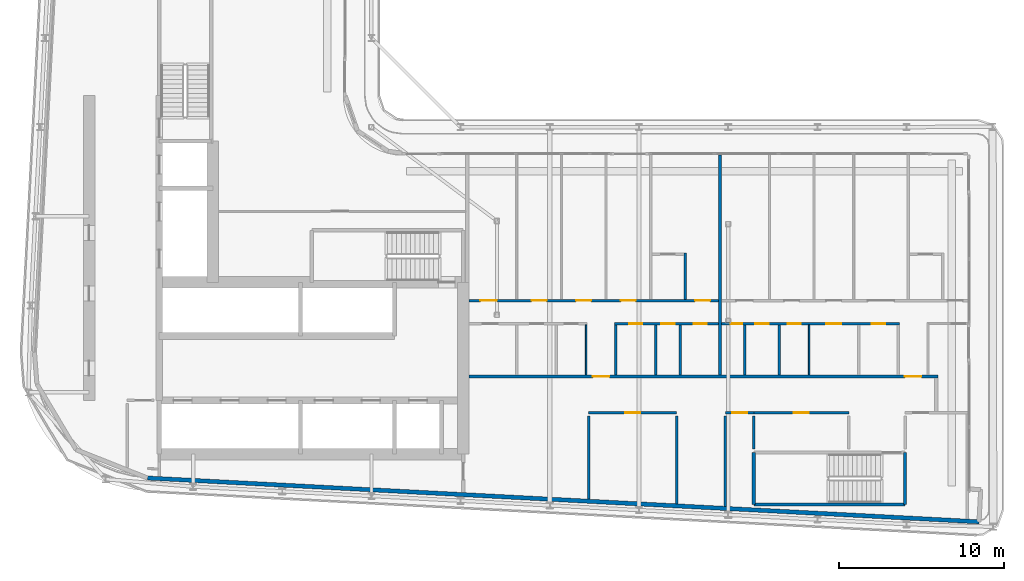
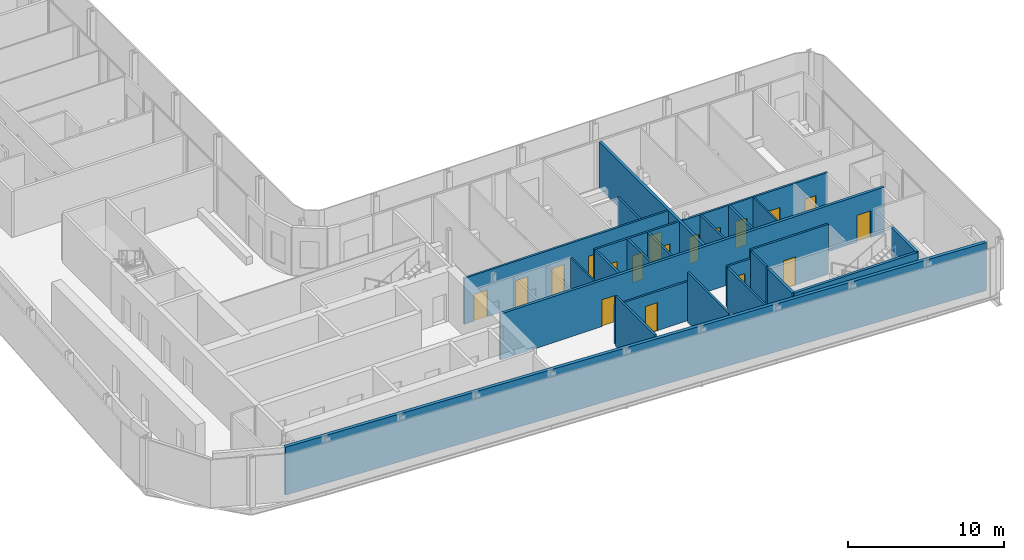
# One storey, part 12 of 23: 24 walls, 18 doors, 18 openings.
"""IFC4 building model written with IfcOpenShell, lengths in metres."""

from ifc_helpers import new_model, si_unit, direction, frame, frame_2d, origin, place, context, subcontext, project, spatial, rectangle, extrude, source, transform, mapped, material, layer, layer_set, type_object, element, fill, save


model = new_model("IFC4")

# Units and contexts
model_context = context("Model", 3, precision=1e-05, world=origin(), true_north=direction((0.0, 1.0)))
body_context = subcontext(model_context, "Body", "Model", "MODEL_VIEW")
ifc_project = project(units=[si_unit("LENGTHUNIT", "METRE"), si_unit("AREAUNIT", "SQUARE_METRE"), si_unit("VOLUMEUNIT", "CUBIC_METRE"), si_unit("PLANEANGLEUNIT", "RADIAN"), si_unit("MASSUNIT", "GRAM", prefix="KILO")], contexts=[model_context])

# Site, building, storey
site_placement = place(None, origin())
site = spatial("IfcSite", under=ifc_project, at=site_placement, CompositionType="ELEMENT")
building_placement = place(site_placement, origin())
building = spatial("IfcBuilding", under=site, at=building_placement, Name="Kheshtan School and Residences Tower", CompositionType="ELEMENT")
storey_placement = place(building_placement, frame((0.0, 0.0, 243.5)))
storey = spatial("IfcBuildingStorey", under=building, at=storey_placement, Name="L57", CompositionType="ELEMENT", Elevation=243.5)

# Wall, openings, doors
ifc_material_1 = material(Name="Gypsum board on steel studs with fire boards", Category="steel")
ifc_layer_1 = layer(ifc_material_1, 0.199951171875)
ifc_layer_set_1 = layer_set([ifc_layer_1], Name="Corridor wall 200")
wall_type_1 = type_object("IfcWallType", Name="Corridor wall 200", PredefinedType="PARTITIONING", material=ifc_layer_set_1)
wall_1_placement = place(storey_placement, frame((53.4990234375, 30.5, 0.0), z_axis=(0.0, 0.0, 1.0), x_axis=(1.0, 0.0, 0.0)))
wall_1 = element("IfcWall", 1, at=wall_1_placement, inside=storey, type_object=wall_type_1, Name="Partition L57-036", PredefinedType="PARTITIONING", context=body_context, shape_type="SweptSolid", body=[
    extrude(rectangle(XDim=28.40087890625, YDim=0.199951171875, at=frame_2d((14.200439453125, 0.0))), origin(), (0.0, 0.0, 1.0), 3.60009765625),
])
opening_1_placement = place(wall_1_placement, frame((7.5009765625, 0.0, 0.0)))
opening_1 = element("IfcOpeningElement", 2, at=opening_1_placement, cuts=wall_1, Name="Opening D56-007", PredefinedType="OPENING", context=body_context, shape_type="SweptSolid", body=[
    extrude(rectangle(XDim=1.0, YDim=2.10009765625, at=frame_2d((0.5, 1.050048828125))), frame((0.0, 0.10986328125, 0.0), z_axis=(0.0, -1.0, 0.0), x_axis=(1.0, 0.0, 0.0)), (0.0, 0.0, 1.0), 0.219970703125),
])
opening_2_placement = place(wall_1_placement, frame((26.40087890625, 0.0, 0.0)))
opening_2 = element("IfcOpeningElement", 3, at=opening_2_placement, cuts=wall_1, Name="Opening D56-020", PredefinedType="OPENING", context=body_context, shape_type="SweptSolid", body=[
    extrude(rectangle(XDim=1.0, YDim=2.10009765625, at=frame_2d((0.5, 1.050048828125))), frame((0.0, 0.10986328125, 0.0), z_axis=(0.0, -1.0, 0.0), x_axis=(1.0, 0.0, 0.0)), (0.0, 0.0, 1.0), 0.219970703125),
])
ifc_material_2 = material(Name="Steel-framed fire-resisting door leaf", Category="steel")
door_type_1 = type_object("IfcDoorType", Name="Fire door FD30S 1000 x 2100", OperationType="SINGLE_SWING_LEFT", PredefinedType="DOOR", material=ifc_material_2)
shared_shape_1 = source(origin(), body_context, "Body", "SweptSolid", [
    extrude(rectangle(XDim=1.0, YDim=2.10009765625, at=frame_2d((0.5, 1.050048828125))), frame((0.0, 0.02490234375, 0.0), z_axis=(0.0, -1.0, 0.0), x_axis=(1.0, 0.0, 0.0)), (0.0, 0.0, 1.0), 0.050048828125),
])
door_1_placement = place(opening_1_placement, origin())
door_1 = element("IfcDoor", 4, at=door_1_placement, inside=storey, type_object=door_type_1, Name="Door D56-007", OperationType="SINGLE_SWING_LEFT", OverallHeight=2.10009765625, OverallWidth=1.0, PredefinedType="DOOR", context=body_context, shape_type="MappedRepresentation", body=[
    mapped(shared_shape_1, transform((0.0, 0.0, 0.0), x_axis=(1.0, 0.0, 0.0), y_axis=(0.0, 1.0, 0.0), z_axis=(0.0, 0.0, 1.0), scale=1.0)),
])
fill(opening_1, door_1)
door_2_placement = place(opening_2_placement, origin())
door_2 = element("IfcDoor", 5, at=door_2_placement, inside=storey, type_object=door_type_1, Name="Door D56-020", OperationType="SINGLE_SWING_RIGHT", OverallHeight=2.10009765625, OverallWidth=1.0, PredefinedType="DOOR", context=body_context, shape_type="MappedRepresentation", body=[
    mapped(shared_shape_1, transform((0.0, 0.0, 0.0), x_axis=(1.0, 0.0, 0.0), y_axis=(0.0, 1.0, 0.0), z_axis=(0.0, 0.0, 1.0), scale=1.0)),
])
fill(opening_2, door_2)

# Walls
ifc_material_3 = material(Name="Concrete C40/50 with ceramic cladding and mineral wool insulation", Category="concrete")
ifc_layer_2 = layer(ifc_material_3, 0.25)
ifc_layer_set_2 = layer_set([ifc_layer_2], Name="External wall 250 ceramic clad")
wall_type_2 = type_object("IfcWallType", Name="External wall 250 ceramic clad", PredefinedType="SOLIDWALL", material=ifc_layer_set_2)
wall_2_placement = place(storey_placement, frame((84.385986328125, 21.702880859375, 0.0), z_axis=(0.0, 0.0, 1.0), x_axis=(-0.998617508267, 0.05256493302, 0.0)))
element("IfcWall", 6, at=wall_2_placement, inside=storey, type_object=wall_type_2, Name="External wall L57 16", PredefinedType="SOLIDWALL", context=body_context, shape_type="SweptSolid", body=[
    extrude(rectangle(XDim=50.41650390625, YDim=0.25, at=frame_2d((25.208251953125, 0.0))), origin(), (0.0, 0.0, 1.0), 3.75),
])
ifc_material_4 = material(Name="Gypsum board on steel studs", Category="steel")
ifc_layer_3 = layer(ifc_material_4, 0.10009765625)
ifc_layer_set_3 = layer_set([ifc_layer_3], Name="Gypsum partition 100")
wall_type_3 = type_object("IfcWallType", Name="Gypsum partition 100", PredefinedType="PARTITIONING", material=ifc_layer_set_3)
for number, where, z_axis, x_axis, name in (
    (7, (60.60009765625, 30.60009765625, 0.0), (0.0, 0.0, 1.0), (0.0, 1.0, 0.0), "Partition L57-043"),
    (8, (74.10009765625, 30.60009765625, 0.0), (0.0, 0.0, 1.0), (0.0, 1.0, 0.0), "Partition L57-058"),
):
    element("IfcWall", number, at=place(storey_placement, frame(where, z_axis=z_axis, x_axis=x_axis)), inside=storey, type_object=wall_type_3, Name=name, PredefinedType="PARTITIONING", context=body_context, shape_type="SweptSolid", body=[
        extrude(rectangle(XDim=3.02490234375, YDim=0.10009765625, at=frame_2d((1.512451171875, 0.0))), origin(), (0.0, 0.0, 1.0), 3.60009765625),
    ])

# Wall, opening, door
ifc_material_5 = material(Name="Fire-board shaft wall system")
ifc_layer_4 = layer(ifc_material_5, 0.14990234375)
ifc_layer_set_4 = layer_set([ifc_layer_4], Name="Service room wall 150")
wall_type_4 = type_object("IfcWallType", Name="Service room wall 150", PredefinedType="PARTITIONING", material=ifc_layer_set_4)
wall_3_placement = place(storey_placement, frame((60.75, 28.300048828125, 0.0), z_axis=(0.0, 0.0, 1.0), x_axis=(1.0, 0.0, 0.0)))
wall_3 = element("IfcWall", 9, at=wall_3_placement, inside=storey, type_object=wall_type_4, Name="Service room wall", PredefinedType="PARTITIONING", context=body_context, shape_type="SweptSolid", body=[
    extrude(rectangle(XDim=5.323974609375, YDim=0.14990234375, at=frame_2d((2.662109375, 0.0))), origin(), (0.0, 0.0, 1.0), 3.072021484375),
])
opening_3_placement = place(wall_3_placement, frame((2.2119140625, 0.0, 0.0)))
opening_3 = element("IfcOpeningElement", 10, at=opening_3_placement, cuts=wall_3, Name="Opening SR90", PredefinedType="OPENING", context=body_context, shape_type="SweptSolid", body=[
    extrude(rectangle(XDim=0.89990234375, YDim=2.199951171875, at=frame_2d((0.449951171875, 1.10009765625))), frame((0.0, 0.0849609375, 0.0), z_axis=(0.0, -1.0, 0.0), x_axis=(1.0, 0.0, 0.0)), (0.0, 0.0, 1.0), 0.169921875),
])
ifc_material_6 = material(Name="Steel door leaf, galvanised", Category="steel")
door_type_2 = type_object("IfcDoorType", Name="Service room door 900 steel 90 min", OperationType="SINGLE_SWING_LEFT", PredefinedType="DOOR", material=ifc_material_6)
shared_shape_2 = source(origin(), body_context, "Body", "SweptSolid", [
    extrude(rectangle(XDim=0.89990234375, YDim=2.199951171875, at=frame_2d((0.449951171875, 1.10009765625))), frame((0.0, 0.02490234375, 0.0), z_axis=(0.0, -1.0, 0.0), x_axis=(1.0, 0.0, 0.0)), (0.0, 0.0, 1.0), 0.050048828125),
])
door_3_placement = place(opening_3_placement, origin())
door_3 = element("IfcDoor", 11, at=door_3_placement, inside=storey, type_object=door_type_2, Name="Service room door", OperationType="SINGLE_SWING_LEFT", OverallHeight=2.199951171875, OverallWidth=0.89990234375, PredefinedType="DOOR", context=body_context, shape_type="MappedRepresentation", body=[
    mapped(shared_shape_2, transform((0.0, 0.0, 0.0), x_axis=(1.0, 0.0, 0.0), y_axis=(0.0, 1.0, 0.0), z_axis=(0.0, 0.0, 1.0), scale=1.0)),
])
fill(opening_3, door_3)

# Walls
wall_4_placement = place(storey_placement, frame((60.75, 23.074951171875, 0.0), z_axis=(0.0, 0.0, 1.0), x_axis=(0.0, 1.0, 0.0)))
element("IfcWall", 12, at=wall_4_placement, inside=storey, type_object=wall_type_4, Name="Service room wall", PredefinedType="PARTITIONING", context=body_context, shape_type="SweptSolid", body=[
    extrude(rectangle(XDim=5.030029296875, YDim=0.14990234375, at=frame_2d((2.51513671875, 0.0))), origin(), (0.0, 0.0, 1.0), 3.89990234375),
])
wall_5_placement = place(storey_placement, frame((66.073974609375, 22.794921875, 0.0), z_axis=(0.0, 0.0, 1.0), x_axis=(0.0, 1.0, 0.0)))
element("IfcWall", 13, at=wall_5_placement, inside=storey, type_object=wall_type_4, Name="Service room wall", PredefinedType="PARTITIONING", context=body_context, shape_type="SweptSolid", body=[
    extrude(rectangle(XDim=5.31005859375, YDim=0.14990234375, at=frame_2d((2.655029296875, 0.0))), origin(), (0.0, 0.0, 1.0), 3.89990234375),
])

# Wall, opening, door
wall_6_placement = place(storey_placement, frame((69.029052734375, 28.300048828125, 0.0), z_axis=(0.0, 0.0, 1.0), x_axis=(1.0, 0.0, 0.0)))
wall_6 = element("IfcWall", 14, at=wall_6_placement, inside=storey, type_object=wall_type_4, Name="Service room wall", PredefinedType="PARTITIONING", context=body_context, shape_type="SweptSolid", body=[
    extrude(rectangle(XDim=1.720947265625, YDim=0.14990234375, at=frame_2d((0.8603515625, 0.0))), origin(), (0.0, 0.0, 1.0), 3.217041015625),
])
opening_4_placement = place(wall_6_placement, frame((0.410888671875, 0.0, 0.0)))
opening_4 = element("IfcOpeningElement", 15, at=opening_4_placement, cuts=wall_6, Name="Opening SR90", PredefinedType="OPENING", context=body_context, shape_type="SweptSolid", body=[
    extrude(rectangle(XDim=0.89990234375, YDim=2.199951171875, at=frame_2d((0.449951171875, 1.10009765625))), frame((0.0, 0.0849609375, 0.0), z_axis=(0.0, -1.0, 0.0), x_axis=(1.0, 0.0, 0.0)), (0.0, 0.0, 1.0), 0.169921875),
])
door_4_placement = place(opening_4_placement, origin())
door_4 = element("IfcDoor", 16, at=door_4_placement, inside=storey, type_object=door_type_2, Name="Service room door", OperationType="SINGLE_SWING_LEFT", OverallHeight=2.199951171875, OverallWidth=0.89990234375, PredefinedType="DOOR", context=body_context, shape_type="MappedRepresentation", body=[
    mapped(shared_shape_2, transform((0.0, 0.0, 0.0), x_axis=(1.0, 0.0, 0.0), y_axis=(0.0, 1.0, 0.0), z_axis=(0.0, 0.0, 1.0), scale=1.0)),
])
fill(opening_4, door_4)

# Walls
wall_7_placement = place(storey_placement, frame((69.029052734375, 22.638916015625, 0.0), z_axis=(0.0, 0.0, 1.0), x_axis=(0.0, 1.0, 0.0)))
element("IfcWall", 17, at=wall_7_placement, inside=storey, type_object=wall_type_4, Name="Service room wall", PredefinedType="PARTITIONING", context=body_context, shape_type="SweptSolid", body=[
    extrude(rectangle(XDim=5.466064453125, YDim=0.14990234375, at=frame_2d((2.73291015625, 0.0))), origin(), (0.0, 0.0, 1.0), 3.217041015625),
])
wall_8_placement = place(storey_placement, frame((70.75, 26.1201171875, 0.0), z_axis=(0.0, 0.0, 1.0), x_axis=(0.0, 1.0, 0.0)))
element("IfcWall", 18, at=wall_8_placement, inside=storey, type_object=wall_type_4, Name="Service room wall", PredefinedType="PARTITIONING", context=body_context, shape_type="SweptSolid", body=[
    extrude(rectangle(XDim=1.98486328125, YDim=0.14990234375, at=frame_2d((0.992431640625, 0.0))), origin(), (0.0, 0.0, 1.0), 3.89990234375),
])

# Wall, opening, door
wall_9_placement = place(storey_placement, frame((70.75, 28.300048828125, 0.0), z_axis=(0.0, 0.0, 1.0), x_axis=(1.0, 0.0, 0.0)))
wall_9 = element("IfcWall", 19, at=wall_9_placement, inside=storey, type_object=wall_type_4, Name="Service room wall", PredefinedType="PARTITIONING", context=body_context, shape_type="SweptSolid", body=[
    extrude(rectangle(XDim=5.760009765625, YDim=0.14990234375, at=frame_2d((2.8798828125, 0.0))), origin(), (0.0, 0.0, 1.0), 3.89990234375),
])
opening_5_placement = place(wall_9_placement, frame((2.429931640625, 0.0, 0.0)))
opening_5 = element("IfcOpeningElement", 20, at=opening_5_placement, cuts=wall_9, Name="Opening SR90", PredefinedType="OPENING", context=body_context, shape_type="SweptSolid", body=[
    extrude(rectangle(XDim=0.89990234375, YDim=2.199951171875, at=frame_2d((0.449951171875, 1.10009765625))), frame((0.0, 0.0849609375, 0.0), z_axis=(0.0, -1.0, 0.0), x_axis=(1.0, 0.0, 0.0)), (0.0, 0.0, 1.0), 0.169921875),
])
door_5_placement = place(opening_5_placement, origin())
door_5 = element("IfcDoor", 21, at=door_5_placement, inside=storey, type_object=door_type_2, Name="Service room door", OperationType="SINGLE_SWING_LEFT", OverallHeight=2.199951171875, OverallWidth=0.89990234375, PredefinedType="DOOR", context=body_context, shape_type="MappedRepresentation", body=[
    mapped(shared_shape_2, transform((0.0, 0.0, 0.0), x_axis=(1.0, 0.0, 0.0), y_axis=(0.0, 1.0, 0.0), z_axis=(0.0, 0.0, 1.0), scale=1.0)),
])
fill(opening_5, door_5)

# Walls
ifc_material_7 = material(Name="Concrete C40/50", Category="concrete")
ifc_layer_5 = layer(ifc_material_7, 0.199951171875)
ifc_layer_set_5 = layer_set([ifc_layer_5], Name="Stair enclosure wall 200 Concrete C40/50")
wall_type_5 = type_object("IfcWallType", Name="Stair enclosure wall 200 Concrete C40/50", PredefinedType="SHEAR", material=ifc_layer_set_5)
wall_10_placement = place(storey_placement, frame((70.75, 22.75, 0.0), z_axis=(0.0, 0.0, 1.0), x_axis=(1.0, 0.0, 0.0)))
element("IfcWall", 22, at=wall_10_placement, inside=storey, type_object=wall_type_5, Name="Stair enclosure wall ST5", PredefinedType="SHEAR", context=body_context, shape_type="SweptSolid", body=[
    extrude(rectangle(XDim=9.159912109375, YDim=0.199951171875, at=frame_2d((4.580078125, 0.0))), origin(), (0.0, 0.0, 1.0), 3.89990234375),
])
for number, where, z_axis, x_axis, name in (
    (23, (70.75, 22.75, 0.0), (0.0, 0.0, 1.0), (0.0, 1.0, 0.0), "Stair enclosure wall ST5"),
    (24, (79.909912109375, 22.75, 0.0), (0.0, 0.0, 1.0), (0.0, 1.0, 0.0), "Stair enclosure wall ST5"),
):
    element("IfcWall", number, at=place(storey_placement, frame(where, z_axis=z_axis, x_axis=x_axis)), inside=storey, type_object=wall_type_5, Name=name, PredefinedType="SHEAR", context=body_context, shape_type="SweptSolid", body=[
        extrude(rectangle(XDim=3.14990234375, YDim=0.199951171875, at=frame_2d((1.574951171875, 0.0))), origin(), (0.0, 0.0, 1.0), 3.89990234375),
    ])
ifc_material_8 = material(Name="Twin gypsum board on steel studs with mineral wool", Category="steel")
ifc_layer_6 = layer(ifc_material_8, 0.199951171875)
ifc_layer_set_6 = layer_set([ifc_layer_6], Name="Unit demising wall 200")
wall_type_6 = type_object("IfcWallType", Name="Unit demising wall 200", PredefinedType="PARTITIONING", material=ifc_layer_set_6)
wall_11_placement = place(storey_placement, frame((68.699951171875, 30.60009765625, 0.0), z_axis=(0.0, 0.0, 1.0), x_axis=(0.0, 1.0, 0.0)))
element("IfcWall", 25, at=wall_11_placement, inside=storey, type_object=wall_type_6, Name="Partition L57-052", PredefinedType="PARTITIONING", context=body_context, shape_type="SweptSolid", body=[
    extrude(rectangle(XDim=13.2998046875, YDim=0.199951171875, at=frame_2d((6.64990234375, 0.0))), origin(), (0.0, 0.0, 1.0), 3.60009765625),
])

# Wall, openings, doors
ifc_material_9 = material(Name="Moisture-resistant gypsum board on steel studs", Category="steel")
ifc_layer_7 = layer(ifc_material_9, 0.14990234375)
ifc_layer_set_7 = layer_set([ifc_layer_7], Name="Wet-room partition 150")
wall_type_7 = type_object("IfcWallType", Name="Wet-room partition 150", PredefinedType="PARTITIONING", material=ifc_layer_set_7)
wall_12_placement = place(storey_placement, frame((53.4990234375, 35.10009765625, 0.0), z_axis=(0.0, 0.0, 1.0), x_axis=(1.0, 0.0, 0.0)))
wall_12 = element("IfcWall", 26, at=wall_12_placement, inside=storey, type_object=wall_type_7, Name="Partition L57-038", PredefinedType="PARTITIONING", context=body_context, shape_type="SweptSolid", body=[
    extrude(rectangle(XDim=15.10107421875, YDim=0.14990234375, at=frame_2d((7.550537109375, 0.0))), origin(), (0.0, 0.0, 1.0), 3.60009765625),
])
opening_6_placement = place(wall_12_placement, frame((3.801025390625, 0.0, 0.0)))
opening_6 = element("IfcOpeningElement", 27, at=opening_6_placement, cuts=wall_12, Name="Opening D56-003", PredefinedType="OPENING", context=body_context, shape_type="SweptSolid", body=[
    extrude(rectangle(XDim=0.89990234375, YDim=2.10009765625, at=frame_2d((0.449951171875, 1.050048828125))), frame((0.0, 0.0849609375, 0.0), z_axis=(0.0, -1.0, 0.0), x_axis=(1.0, 0.0, 0.0)), (0.0, 0.0, 1.0), 0.169921875),
])
opening_7_placement = place(wall_12_placement, frame((9.200927734375, 0.0, 0.0)))
opening_7 = element("IfcOpeningElement", 28, at=opening_7_placement, cuts=wall_12, Name="Opening D56-004", PredefinedType="OPENING", context=body_context, shape_type="SweptSolid", body=[
    extrude(rectangle(XDim=0.89990234375, YDim=2.10009765625, at=frame_2d((0.449951171875, 1.050048828125))), frame((0.0, 0.0849609375, 0.0), z_axis=(0.0, -1.0, 0.0), x_axis=(1.0, 0.0, 0.0)), (0.0, 0.0, 1.0), 0.169921875),
])
opening_8_placement = place(wall_12_placement, frame((0.700927734375, 0.0, 0.0)))
opening_8 = element("IfcOpeningElement", 29, at=opening_8_placement, cuts=wall_12, Name="Opening D56-009", PredefinedType="OPENING", context=body_context, shape_type="SweptSolid", body=[
    extrude(rectangle(XDim=1.0, YDim=2.10009765625, at=frame_2d((0.5, 1.050048828125))), frame((0.0, 0.0849609375, 0.0), z_axis=(0.0, -1.0, 0.0), x_axis=(1.0, 0.0, 0.0)), (0.0, 0.0, 1.0), 0.169921875),
])
opening_9_placement = place(wall_12_placement, frame((6.5009765625, 0.0, 0.0)))
opening_9 = element("IfcOpeningElement", 30, at=opening_9_placement, cuts=wall_12, Name="Opening D56-010", PredefinedType="OPENING", context=body_context, shape_type="SweptSolid", body=[
    extrude(rectangle(XDim=0.89990234375, YDim=2.10009765625, at=frame_2d((0.449951171875, 1.050048828125))), frame((0.0, 0.0849609375, 0.0), z_axis=(0.0, -1.0, 0.0), x_axis=(1.0, 0.0, 0.0)), (0.0, 0.0, 1.0), 0.169921875),
])
opening_10_placement = place(wall_12_placement, frame((13.700927734375, 0.0, 0.0)))
opening_10 = element("IfcOpeningElement", 31, at=opening_10_placement, cuts=wall_12, Name="Opening D56-011", PredefinedType="OPENING", context=body_context, shape_type="SweptSolid", body=[
    extrude(rectangle(XDim=0.89990234375, YDim=2.10009765625, at=frame_2d((0.449951171875, 1.050048828125))), frame((0.0, 0.0849609375, 0.0), z_axis=(0.0, -1.0, 0.0), x_axis=(1.0, 0.0, 0.0)), (0.0, 0.0, 1.0), 0.169921875),
])
ifc_material_10 = material(Name="Veneered timber door leaf", Category="wood")
door_type_3 = type_object("IfcDoorType", Name="Door 1000 x 2100", OperationType="SINGLE_SWING_LEFT", PredefinedType="DOOR", material=ifc_material_10)
shared_shape_3 = source(origin(), body_context, "Body", "SweptSolid", [
    extrude(rectangle(XDim=1.0, YDim=2.10009765625, at=frame_2d((0.5, 1.050048828125))), frame((0.0, 0.02490234375, 0.0), z_axis=(0.0, -1.0, 0.0), x_axis=(1.0, 0.0, 0.0)), (0.0, 0.0, 1.0), 0.050048828125),
])
door_6_placement = place(opening_8_placement, origin())
door_6 = element("IfcDoor", 32, at=door_6_placement, inside=storey, type_object=door_type_3, Name="Door D56-009", OperationType="SINGLE_SWING_LEFT", OverallHeight=2.10009765625, OverallWidth=1.0, PredefinedType="DOOR", context=body_context, shape_type="MappedRepresentation", body=[
    mapped(shared_shape_3, transform((0.0, 0.0, 0.0), x_axis=(1.0, 0.0, 0.0), y_axis=(0.0, 1.0, 0.0), z_axis=(0.0, 0.0, 1.0), scale=1.0)),
])
fill(opening_8, door_6)
door_type_4 = type_object("IfcDoorType", Name="Door 900 x 2100", OperationType="SINGLE_SWING_LEFT", PredefinedType="DOOR", material=ifc_material_10)
shared_shape_4 = source(origin(), body_context, "Body", "SweptSolid", [
    extrude(rectangle(XDim=0.89990234375, YDim=2.10009765625, at=frame_2d((0.449951171875, 1.050048828125))), frame((0.0, 0.02490234375, 0.0), z_axis=(0.0, -1.0, 0.0), x_axis=(1.0, 0.0, 0.0)), (0.0, 0.0, 1.0), 0.050048828125),
])
door_7_placement = place(opening_6_placement, origin())
door_7 = element("IfcDoor", 33, at=door_7_placement, inside=storey, type_object=door_type_4, Name="Door D56-003", OperationType="SINGLE_SWING_RIGHT", OverallHeight=2.10009765625, OverallWidth=0.89990234375, PredefinedType="DOOR", context=body_context, shape_type="MappedRepresentation", body=[
    mapped(shared_shape_4, transform((0.0, 0.0, 0.0), x_axis=(1.0, 0.0, 0.0), y_axis=(0.0, 1.0, 0.0), z_axis=(0.0, 0.0, 1.0), scale=1.0)),
])
fill(opening_6, door_7)
door_8_placement = place(opening_7_placement, origin())
door_8 = element("IfcDoor", 34, at=door_8_placement, inside=storey, type_object=door_type_4, Name="Door D56-004", OperationType="SINGLE_SWING_RIGHT", OverallHeight=2.10009765625, OverallWidth=0.89990234375, PredefinedType="DOOR", context=body_context, shape_type="MappedRepresentation", body=[
    mapped(shared_shape_4, transform((0.0, 0.0, 0.0), x_axis=(1.0, 0.0, 0.0), y_axis=(0.0, 1.0, 0.0), z_axis=(0.0, 0.0, 1.0), scale=1.0)),
])
fill(opening_7, door_8)
door_9_placement = place(opening_9_placement, origin())
door_9 = element("IfcDoor", 35, at=door_9_placement, inside=storey, type_object=door_type_4, Name="Door D56-010", OperationType="SINGLE_SWING_LEFT", OverallHeight=2.10009765625, OverallWidth=0.89990234375, PredefinedType="DOOR", context=body_context, shape_type="MappedRepresentation", body=[
    mapped(shared_shape_4, transform((0.0, 0.0, 0.0), x_axis=(1.0, 0.0, 0.0), y_axis=(0.0, 1.0, 0.0), z_axis=(0.0, 0.0, 1.0), scale=1.0)),
])
fill(opening_9, door_9)
door_10_placement = place(opening_10_placement, origin())
door_10 = element("IfcDoor", 36, at=door_10_placement, inside=storey, type_object=door_type_4, Name="Door D56-011", OperationType="SINGLE_SWING_LEFT", OverallHeight=2.10009765625, OverallWidth=0.89990234375, PredefinedType="DOOR", context=body_context, shape_type="MappedRepresentation", body=[
    mapped(shared_shape_4, transform((0.0, 0.0, 0.0), x_axis=(1.0, 0.0, 0.0), y_axis=(0.0, 1.0, 0.0), z_axis=(0.0, 0.0, 1.0), scale=1.0)),
])
fill(opening_10, door_10)

wall_13_placement = place(storey_placement, frame((62.324951171875, 33.699951171875, 0.0), z_axis=(0.0, 0.0, 1.0), x_axis=(1.0, 0.0, 0.0)))
wall_13 = element("IfcWall", 37, at=wall_13_placement, inside=storey, type_object=wall_type_7, Name="Partition L57-045", PredefinedType="PARTITIONING", context=body_context, shape_type="SweptSolid", body=[
    extrude(rectangle(XDim=6.275146484375, YDim=0.14990234375, at=frame_2d((3.1376953125, 0.0))), origin(), (0.0, 0.0, 1.0), 3.60009765625),
])
opening_11_placement = place(wall_13_placement, frame((0.875, 0.0, 0.0)))
opening_11 = element("IfcOpeningElement", 38, at=opening_11_placement, cuts=wall_13, Name="Opening D56-002", PredefinedType="OPENING", context=body_context, shape_type="SweptSolid", body=[
    extrude(rectangle(XDim=0.800048828125, YDim=2.10009765625, at=frame_2d((0.39990234375, 1.050048828125))), frame((0.0, 0.0849609375, 0.0), z_axis=(0.0, -1.0, 0.0), x_axis=(1.0, 0.0, 0.0)), (0.0, 0.0, 1.0), 0.169921875),
])
opening_12_placement = place(wall_13_placement, frame((4.77490234375, 0.0, 0.0)))
opening_12 = element("IfcOpeningElement", 39, at=opening_12_placement, cuts=wall_13, Name="Opening D56-005", PredefinedType="OPENING", context=body_context, shape_type="SweptSolid", body=[
    extrude(rectangle(XDim=0.800048828125, YDim=2.10009765625, at=frame_2d((0.39990234375, 1.050048828125))), frame((0.0, 0.0849609375, 0.0), z_axis=(0.0, -1.0, 0.0), x_axis=(1.0, 0.0, 0.0)), (0.0, 0.0, 1.0), 0.169921875),
])
opening_13_placement = place(wall_13_placement, frame((2.824951171875, 0.0, 0.0)))
opening_13 = element("IfcOpeningElement", 40, at=opening_13_placement, cuts=wall_13, Name="Opening D56-013", PredefinedType="OPENING", context=body_context, shape_type="SweptSolid", body=[
    extrude(rectangle(XDim=0.800048828125, YDim=2.10009765625, at=frame_2d((0.39990234375, 1.050048828125))), frame((0.0, 0.0849609375, 0.0), z_axis=(0.0, -1.0, 0.0), x_axis=(1.0, 0.0, 0.0)), (0.0, 0.0, 1.0), 0.169921875),
])
door_type_5 = type_object("IfcDoorType", Name="Door 800 x 2100", OperationType="SINGLE_SWING_LEFT", PredefinedType="DOOR", material=ifc_material_10)
shared_shape_5 = source(origin(), body_context, "Body", "SweptSolid", [
    extrude(rectangle(XDim=0.800048828125, YDim=2.10009765625, at=frame_2d((0.39990234375, 1.050048828125))), frame((0.0, 0.02490234375, 0.0), z_axis=(0.0, -1.0, 0.0), x_axis=(1.0, 0.0, 0.0)), (0.0, 0.0, 1.0), 0.050048828125),
])
door_11_placement = place(opening_11_placement, origin())
door_11 = element("IfcDoor", 41, at=door_11_placement, inside=storey, type_object=door_type_5, Name="Door D56-002", OperationType="SINGLE_SWING_RIGHT", OverallHeight=2.10009765625, OverallWidth=0.800048828125, PredefinedType="DOOR", context=body_context, shape_type="MappedRepresentation", body=[
    mapped(shared_shape_5, transform((0.0, 0.0, 0.0), x_axis=(1.0, 0.0, 0.0), y_axis=(0.0, 1.0, 0.0), z_axis=(0.0, 0.0, 1.0), scale=1.0)),
])
fill(opening_11, door_11)
door_12_placement = place(opening_12_placement, origin())
door_12 = element("IfcDoor", 42, at=door_12_placement, inside=storey, type_object=door_type_5, Name="Door D56-005", OperationType="SINGLE_SWING_LEFT", OverallHeight=2.10009765625, OverallWidth=0.800048828125, PredefinedType="DOOR", context=body_context, shape_type="MappedRepresentation", body=[
    mapped(shared_shape_5, transform((0.0, 0.0, 0.0), x_axis=(1.0, 0.0, 0.0), y_axis=(0.0, 1.0, 0.0), z_axis=(0.0, 0.0, 1.0), scale=1.0)),
])
fill(opening_12, door_12)
door_13_placement = place(opening_13_placement, origin())
door_13 = element("IfcDoor", 43, at=door_13_placement, inside=storey, type_object=door_type_5, Name="Door D56-013", OperationType="SINGLE_SWING_LEFT", OverallHeight=2.10009765625, OverallWidth=0.800048828125, PredefinedType="DOOR", context=body_context, shape_type="MappedRepresentation", body=[
    mapped(shared_shape_5, transform((0.0, 0.0, 0.0), x_axis=(1.0, 0.0, 0.0), y_axis=(0.0, 1.0, 0.0), z_axis=(0.0, 0.0, 1.0), scale=1.0)),
])
fill(opening_13, door_13)

# Walls
for number, where, z_axis, x_axis, name in (
    (44, (62.39990234375, 30.60009765625, 0.0), (0.0, 0.0, 1.0), (0.0, 1.0, 0.0), "Partition L57-046"),
    (45, (64.800048828125, 30.60009765625, 0.0), (0.0, 0.0, 1.0), (0.0, 1.0, 0.0), "Partition L57-049"),
    (46, (66.300048828125, 30.60009765625, 0.0), (0.0, 0.0, 1.0), (0.0, 1.0, 0.0), "Partition L57-050"),
):
    element("IfcWall", number, at=place(storey_placement, frame(where, z_axis=z_axis, x_axis=x_axis)), inside=storey, type_object=wall_type_7, Name=name, PredefinedType="PARTITIONING", context=body_context, shape_type="SweptSolid", body=[
        extrude(rectangle(XDim=3.02490234375, YDim=0.14990234375, at=frame_2d((1.512451171875, 0.0))), origin(), (0.0, 0.0, 1.0), 3.60009765625),
    ])
wall_14_placement = place(storey_placement, frame((66.60009765625, 35.175048828125, 0.0), z_axis=(0.0, 0.0, 1.0), x_axis=(0.0, 1.0, 0.0)))
element("IfcWall", 47, at=wall_14_placement, inside=storey, type_object=wall_type_7, Name="Partition L57-051", PredefinedType="PARTITIONING", context=body_context, shape_type="SweptSolid", body=[
    extrude(rectangle(XDim=2.800048828125, YDim=0.14990234375, at=frame_2d((1.39990234375, 0.0))), origin(), (0.0, 0.0, 1.0), 3.60009765625),
])

# Wall, openings, doors
wall_15_placement = place(storey_placement, frame((68.800048828125, 33.699951171875, 0.0), z_axis=(0.0, 0.0, 1.0), x_axis=(1.0, 0.0, 0.0)))
wall_15 = element("IfcWall", 48, at=wall_15_placement, inside=storey, type_object=wall_type_7, Name="Partition L57-053", PredefinedType="PARTITIONING", context=body_context, shape_type="SweptSolid", body=[
    extrude(rectangle(XDim=10.77490234375, YDim=0.14990234375, at=frame_2d((5.387451171875, 0.0))), origin(), (0.0, 0.0, 1.0), 3.60009765625),
])
opening_14_placement = place(wall_15_placement, frame((2.050048828125, 0.0, 0.0)))
opening_14 = element("IfcOpeningElement", 49, at=opening_14_placement, cuts=wall_15, Name="Opening D56-014", PredefinedType="OPENING", context=body_context, shape_type="SweptSolid", body=[
    extrude(rectangle(XDim=0.800048828125, YDim=2.10009765625, at=frame_2d((0.39990234375, 1.050048828125))), frame((0.0, 0.0849609375, 0.0), z_axis=(0.0, -1.0, 0.0), x_axis=(1.0, 0.0, 0.0)), (0.0, 0.0, 1.0), 0.169921875),
])
opening_15_placement = place(wall_15_placement, frame((9.10009765625, 0.0, 0.0)))
opening_15 = element("IfcOpeningElement", 50, at=opening_15_placement, cuts=wall_15, Name="Opening D56-015", PredefinedType="OPENING", context=body_context, shape_type="SweptSolid", body=[
    extrude(rectangle(XDim=0.800048828125, YDim=2.10009765625, at=frame_2d((0.39990234375, 1.050048828125))), frame((0.0, 0.0849609375, 0.0), z_axis=(0.0, -1.0, 0.0), x_axis=(1.0, 0.0, 0.0)), (0.0, 0.0, 1.0), 0.169921875),
])
opening_16_placement = place(wall_15_placement, frame((6.35009765625, 0.0, 0.0)))
opening_16 = element("IfcOpeningElement", 51, at=opening_16_placement, cuts=wall_15, Name="Opening D56-021", PredefinedType="OPENING", context=body_context, shape_type="SweptSolid", body=[
    extrude(rectangle(XDim=0.89990234375, YDim=2.10009765625, at=frame_2d((0.449951171875, 1.050048828125))), frame((0.0, 0.0849609375, 0.0), z_axis=(0.0, -1.0, 0.0), x_axis=(1.0, 0.0, 0.0)), (0.0, 0.0, 1.0), 0.169921875),
])
opening_17_placement = place(wall_15_placement, frame((4.0, 0.0, 0.0)))
opening_17 = element("IfcOpeningElement", 52, at=opening_17_placement, cuts=wall_15, Name="Opening D56-025", PredefinedType="OPENING", context=body_context, shape_type="SweptSolid", body=[
    extrude(rectangle(XDim=0.800048828125, YDim=2.10009765625, at=frame_2d((0.39990234375, 1.050048828125))), frame((0.0, 0.0849609375, 0.0), z_axis=(0.0, -1.0, 0.0), x_axis=(1.0, 0.0, 0.0)), (0.0, 0.0, 1.0), 0.169921875),
])
opening_18_placement = place(wall_15_placement, frame((0.56005859375, 0.0, 0.0)))
opening_18 = element("IfcOpeningElement", 53, at=opening_18_placement, cuts=wall_15, Name="Opening D56-026", PredefinedType="OPENING", context=body_context, shape_type="SweptSolid", body=[
    extrude(rectangle(XDim=0.699951171875, YDim=2.10009765625, at=frame_2d((0.35009765625, 1.050048828125))), frame((0.0, 0.0849609375, 0.0), z_axis=(0.0, -1.0, 0.0), x_axis=(1.0, 0.0, 0.0)), (0.0, 0.0, 1.0), 0.169921875),
])
door_14_placement = place(opening_14_placement, origin())
door_14 = element("IfcDoor", 54, at=door_14_placement, inside=storey, type_object=door_type_5, Name="Door D56-014", OperationType="SINGLE_SWING_LEFT", OverallHeight=2.10009765625, OverallWidth=0.800048828125, PredefinedType="DOOR", context=body_context, shape_type="MappedRepresentation", body=[
    mapped(shared_shape_5, transform((0.0, 0.0, 0.0), x_axis=(1.0, 0.0, 0.0), y_axis=(0.0, 1.0, 0.0), z_axis=(0.0, 0.0, 1.0), scale=1.0)),
])
fill(opening_14, door_14)
door_15_placement = place(opening_15_placement, origin())
door_15 = element("IfcDoor", 55, at=door_15_placement, inside=storey, type_object=door_type_5, Name="Door D56-015", OperationType="SINGLE_SWING_RIGHT", OverallHeight=2.10009765625, OverallWidth=0.800048828125, PredefinedType="DOOR", context=body_context, shape_type="MappedRepresentation", body=[
    mapped(shared_shape_5, transform((0.0, 0.0, 0.0), x_axis=(1.0, 0.0, 0.0), y_axis=(0.0, 1.0, 0.0), z_axis=(0.0, 0.0, 1.0), scale=1.0)),
])
fill(opening_15, door_15)
door_16_placement = place(opening_17_placement, origin())
door_16 = element("IfcDoor", 56, at=door_16_placement, inside=storey, type_object=door_type_5, Name="Door D56-025", OperationType="SINGLE_SWING_LEFT", OverallHeight=2.10009765625, OverallWidth=0.800048828125, PredefinedType="DOOR", context=body_context, shape_type="MappedRepresentation", body=[
    mapped(shared_shape_5, transform((0.0, 0.0, 0.0), x_axis=(1.0, 0.0, 0.0), y_axis=(0.0, 1.0, 0.0), z_axis=(0.0, 0.0, 1.0), scale=1.0)),
])
fill(opening_17, door_16)
door_17_placement = place(opening_16_placement, origin())
door_17 = element("IfcDoor", 57, at=door_17_placement, inside=storey, type_object=door_type_4, Name="Door D56-021", OperationType="SINGLE_SWING_LEFT", OverallHeight=2.10009765625, OverallWidth=0.89990234375, PredefinedType="DOOR", context=body_context, shape_type="MappedRepresentation", body=[
    mapped(shared_shape_4, transform((0.0, 0.0, 0.0), x_axis=(1.0, 0.0, 0.0), y_axis=(0.0, 1.0, 0.0), z_axis=(0.0, 0.0, 1.0), scale=1.0)),
])
fill(opening_16, door_17)
door_type_6 = type_object("IfcDoorType", Name="Door 700 x 2100", OperationType="SINGLE_SWING_LEFT", PredefinedType="DOOR", material=ifc_material_10)
shared_shape_6 = source(origin(), body_context, "Body", "SweptSolid", [
    extrude(rectangle(XDim=0.699951171875, YDim=2.10009765625, at=frame_2d((0.35009765625, 1.050048828125))), frame((0.0, 0.02490234375, 0.0), z_axis=(0.0, -1.0, 0.0), x_axis=(1.0, 0.0, 0.0)), (0.0, 0.0, 1.0), 0.050048828125),
])
door_18_placement = place(opening_18_placement, origin())
door_18 = element("IfcDoor", 58, at=door_18_placement, inside=storey, type_object=door_type_6, Name="Door D56-026", OperationType="SINGLE_SWING_LEFT", OverallHeight=2.10009765625, OverallWidth=0.699951171875, PredefinedType="DOOR", context=body_context, shape_type="MappedRepresentation", body=[
    mapped(shared_shape_6, transform((0.0, 0.0, 0.0), x_axis=(1.0, 0.0, 0.0), y_axis=(0.0, 1.0, 0.0), z_axis=(0.0, 0.0, 1.0), scale=1.0)),
])
fill(opening_18, door_18)

# Walls
for number, where, z_axis, x_axis, name in (
    (59, (70.199951171875, 30.60009765625, 0.0), (0.0, 0.0, 1.0), (0.0, 1.0, 0.0), "Partition L57-055"),
    (60, (72.300048828125, 30.60009765625, 0.0), (0.0, 0.0, 1.0), (0.0, 1.0, 0.0), "Partition L57-057"),
):
    element("IfcWall", number, at=place(storey_placement, frame(where, z_axis=z_axis, x_axis=x_axis)), inside=storey, type_object=wall_type_7, Name=name, PredefinedType="PARTITIONING", context=body_context, shape_type="SweptSolid", body=[
        extrude(rectangle(XDim=3.02490234375, YDim=0.14990234375, at=frame_2d((1.512451171875, 0.0))), origin(), (0.0, 0.0, 1.0), 3.60009765625),
    ])

save(model, "model.ifc")
